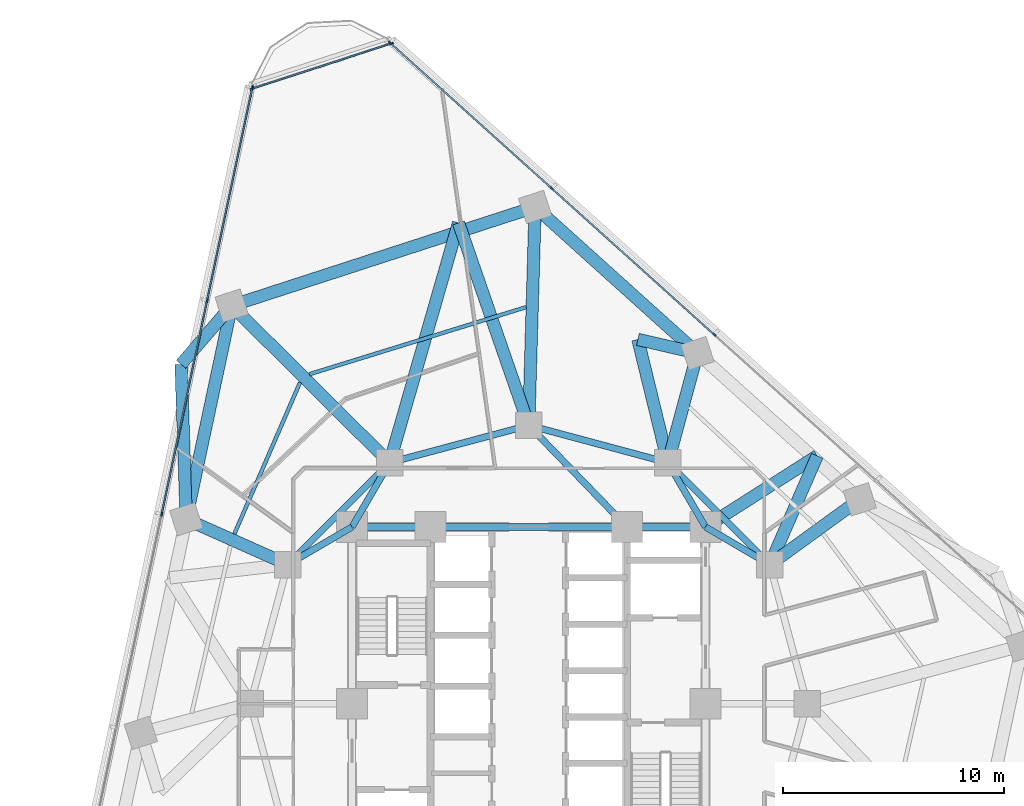
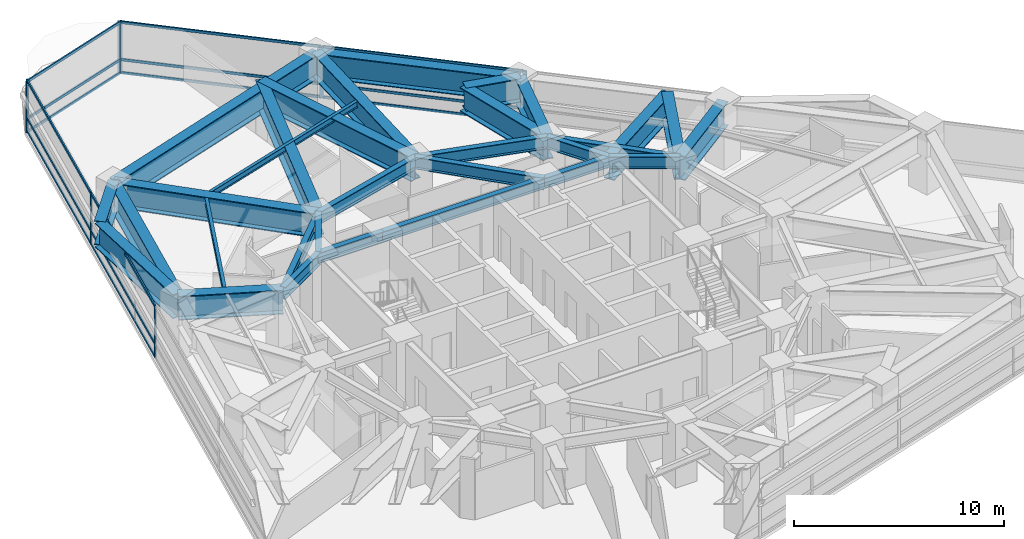
# One storey, part 5 of 14: 30 beams, 23 members, 3 elements without a shape of their own.
"""IFC4 building model written with IfcOpenShell, lengths in metres."""

from ifc_helpers import new_model, si_unit, direction, frame, origin, origin_2d, place, context, subcontext, project, spatial, rectangle, i_section, extrude, material, layer, layer_set, material_profile, profile_set, type_object, element, aggregate, save


model = new_model("IFC4")

# Units and contexts
model_context = context("Model", 3, precision=1e-05, world=origin(), true_north=direction((0.0, 1.0)))
body_context = subcontext(model_context, "Body", "Model", "MODEL_VIEW")
ifc_project = project(units=[si_unit("LENGTHUNIT", "METRE"), si_unit("AREAUNIT", "SQUARE_METRE"), si_unit("VOLUMEUNIT", "CUBIC_METRE"), si_unit("PLANEANGLEUNIT", "RADIAN"), si_unit("MASSUNIT", "GRAM", prefix="KILO")], contexts=[model_context])

# Site, building, storey
site_placement = place(None, origin())
site = spatial("IfcSite", under=ifc_project, at=site_placement, CompositionType="ELEMENT")
building_placement = place(site_placement, origin())
building = spatial("IfcBuilding", under=site, at=building_placement, Name="Terralouvre Media Tower", CompositionType="ELEMENT")
storey_placement = place(building_placement, frame((0.0, 0.0, 116.199951171875)))
storey = spatial("IfcBuildingStorey", under=building, at=storey_placement, Name="L29", CompositionType="ELEMENT", Elevation=116.199951171875)

# Beams
ifc_material_1 = material(Name="Structural steel S355J2", Category="steel")
ifc_material_profile_1 = material_profile(ifc_material_1, i_section(OverallWidth=0.169921875, OverallDepth=0.360107421875, WebThickness=0.008056640625, FlangeThickness=0.0126953125, at=origin_2d()), Name="IPE 360")
ifc_profile_set_1 = profile_set([ifc_material_profile_1], Name="Structural steel S355J2")
beam_type_1 = type_object("IfcBeamType", Name="Composite Floor Joist J-IPE360 (IPE 360)", PredefinedType="JOIST", material=ifc_profile_set_1)
beam_1_placement = place(storey_placement, frame((-0.122802734375, 17.949951171875, 3.320068359375), z_axis=(-0.955324904177, -0.295557655051, 0.0), x_axis=(0.295557655051, -0.955324904177, 0.0)))
element("IfcBeam", 1, at=beam_1_placement, inside=storey, type_object=beam_type_1, Name="L29 Framing Beam JT-L29-10", PredefinedType="JOIST", context=body_context, shape_type="SweptSolid", body=[
    extrude(i_section(OverallWidth=0.169921875, OverallDepth=0.360107421875, WebThickness=0.008056640625, FlangeThickness=0.0126953125, at=origin_2d()), origin(), (0.0, 0.0, 1.0), 10.266845703125),
])
beam_2_placement = place(storey_placement, frame((-10.350830078125, 14.54833984375, 3.320068359375), z_axis=(-0.397766742843, -0.917486576626, 0.0), x_axis=(0.917486576626, -0.397766742843, 0.0)))
element("IfcBeam", 2, at=beam_2_placement, inside=storey, type_object=beam_type_1, Name="L29 Framing Beam JT-L29-11", PredefinedType="JOIST", context=body_context, shape_type="SweptSolid", body=[
    extrude(i_section(OverallWidth=0.169921875, OverallDepth=0.360107421875, WebThickness=0.008056640625, FlangeThickness=0.0126953125, at=origin_2d()), origin(), (0.0, 0.0, 1.0), 7.483154296875),
])

# Curtain wall, members
ifc_material_2 = material(Name="Low-iron laminated double glazing with solar-control coating", Category="glass")
ifc_layer_1 = layer(ifc_material_2, 0.1650390625, Name="Lower Media Tower Unitised Curtain Wall CW-02")
ifc_layer_set_1 = layer_set([ifc_layer_1], Name="Low-iron laminated double glazing with solar-control coating")
curtain_wall_type_1 = type_object("IfcCurtainWallType", Name="Lower Media Tower Unitised Curtain Wall CW-02", PredefinedType="NOTDEFINED", material=ifc_layer_set_1)
curtain_wall_1_placement = place(storey_placement, origin())
curtain_wall_1 = element("IfcCurtainWall", 3, at=curtain_wall_1_placement, inside=storey, type_object=curtain_wall_type_1, Name="L29 Facade Curtain Wall F1", PredefinedType="NOTDEFINED")
ifc_material_3 = material(Name="Anodised extruded aluminium 6063-T6", Category="aluminium")
ifc_material_profile_2 = material_profile(ifc_material_3, rectangle(XDim=0.074951171875, YDim=0.14990234375, at=origin_2d()), Name="ALU 75x150")
ifc_profile_set_2 = profile_set([ifc_material_profile_2], Name="Anodised extruded aluminium 6063-T6")
member_type_1 = type_object("IfcMemberType", Name="Curtain-Wall Horizontal Transom TR-150", PredefinedType="USERDEFINED", material=ifc_profile_set_2)
member_1_placement = place(storey_placement, frame((8.36376953125, 16.733642578125, 0.03759765625), z_axis=(-0.743145676677, 0.669129661005, 0.0), x_axis=(-0.669129661005, -0.743145676677, 0.0)))
member_1 = element("IfcMember", 4, at=member_1_placement, type_object=member_type_1, Name="CW-02 transom 4.1", ObjectType="TRANSOM", PredefinedType="USERDEFINED", context=body_context, shape_type="SweptSolid", body=[
    extrude(rectangle(XDim=0.074951171875, YDim=0.14990234375, at=origin_2d()), origin(), (0.0, 0.0, 1.0), 9.81298828125),
])
member_2_placement = place(storey_placement, frame((8.36376953125, 16.733642578125, 0.800048828125), z_axis=(-0.743145676677, 0.669129661005, 0.0), x_axis=(-0.669129661005, -0.743145676677, 0.0)))
member_2 = element("IfcMember", 5, at=member_2_placement, type_object=member_type_1, Name="CW-02 transom 4.2", ObjectType="TRANSOM", PredefinedType="USERDEFINED", context=body_context, shape_type="SweptSolid", body=[
    extrude(rectangle(XDim=0.074951171875, YDim=0.14990234375, at=origin_2d()), origin(), (0.0, 0.0, 1.0), 9.81298828125),
])
member_3_placement = place(storey_placement, frame((8.36376953125, 16.733642578125, 2.962646484375), z_axis=(-0.743145676677, 0.669129661005, 0.0), x_axis=(-0.669129661005, -0.743145676677, 0.0)))
member_3 = element("IfcMember", 6, at=member_3_placement, type_object=member_type_1, Name="CW-02 transom 4.3", ObjectType="TRANSOM", PredefinedType="USERDEFINED", context=body_context, shape_type="SweptSolid", body=[
    extrude(rectangle(XDim=0.074951171875, YDim=0.14990234375, at=origin_2d()), origin(), (0.0, 0.0, 1.0), 9.81298828125),
])
member_4_placement = place(storey_placement, frame((1.015625, 23.35009765625, 0.03759765625), z_axis=(-0.743150075485, 0.669124775588, 0.0), x_axis=(-0.669124775588, -0.743150075485, 0.0)))
member_4 = element("IfcMember", 7, at=member_4_placement, type_object=member_type_1, Name="CW-02 transom 5.1", ObjectType="TRANSOM", PredefinedType="USERDEFINED", context=body_context, shape_type="SweptSolid", body=[
    extrude(rectangle(XDim=0.074951171875, YDim=0.14990234375, at=origin_2d()), origin(), (0.0, 0.0, 1.0), 9.775390625),
])
member_5_placement = place(storey_placement, frame((1.015625, 23.35009765625, 0.800048828125), z_axis=(-0.743150075485, 0.669124775588, 0.0), x_axis=(-0.669124775588, -0.743150075485, 0.0)))
member_5 = element("IfcMember", 8, at=member_5_placement, type_object=member_type_1, Name="CW-02 transom 5.2", ObjectType="TRANSOM", PredefinedType="USERDEFINED", context=body_context, shape_type="SweptSolid", body=[
    extrude(rectangle(XDim=0.074951171875, YDim=0.14990234375, at=origin_2d()), origin(), (0.0, 0.0, 1.0), 9.775390625),
])
member_6_placement = place(storey_placement, frame((1.015625, 23.35009765625, 2.962646484375), z_axis=(-0.743150075485, 0.669124775588, 0.0), x_axis=(-0.669124775588, -0.743150075485, 0.0)))
member_6 = element("IfcMember", 9, at=member_6_placement, type_object=member_type_1, Name="CW-02 transom 5.3", ObjectType="TRANSOM", PredefinedType="USERDEFINED", context=body_context, shape_type="SweptSolid", body=[
    extrude(rectangle(XDim=0.074951171875, YDim=0.14990234375, at=origin_2d()), origin(), (0.0, 0.0, 1.0), 9.775390625),
])

curtain_wall_2_placement = place(storey_placement, origin())
curtain_wall_2 = element("IfcCurtainWall", 10, at=curtain_wall_2_placement, inside=storey, type_object=curtain_wall_type_1, Name="L29 Facade Curtain Wall F2", PredefinedType="NOTDEFINED")
member_7_placement = place(storey_placement, frame((-12.51416015625, 27.85546875, 0.03759765625), z_axis=(-0.207917001862, -0.978146471821, 0.0), x_axis=(0.978146471821, -0.207917001862, 0.0)))
member_7 = element("IfcMember", 11, at=member_7_placement, type_object=member_type_1, Name="CW-02 transom 1.1", ObjectType="TRANSOM", PredefinedType="USERDEFINED", context=body_context, shape_type="SweptSolid", body=[
    extrude(rectangle(XDim=0.074951171875, YDim=0.14990234375, at=origin_2d()), origin(), (0.0, 0.0, 1.0), 9.775390625),
])
member_8_placement = place(storey_placement, frame((-12.51416015625, 27.85546875, 0.800048828125), z_axis=(-0.207917001862, -0.978146471821, 0.0), x_axis=(0.978146471821, -0.207917001862, 0.0)))
member_8 = element("IfcMember", 12, at=member_8_placement, type_object=member_type_1, Name="CW-02 transom 1.2", ObjectType="TRANSOM", PredefinedType="USERDEFINED", context=body_context, shape_type="SweptSolid", body=[
    extrude(rectangle(XDim=0.074951171875, YDim=0.14990234375, at=origin_2d()), origin(), (0.0, 0.0, 1.0), 9.775390625),
])
member_9_placement = place(storey_placement, frame((-12.51416015625, 27.85546875, 2.962646484375), z_axis=(-0.207917001862, -0.978146471821, 0.0), x_axis=(0.978146471821, -0.207917001862, 0.0)))
member_9 = element("IfcMember", 13, at=member_9_placement, type_object=member_type_1, Name="CW-02 transom 1.3", ObjectType="TRANSOM", PredefinedType="USERDEFINED", context=body_context, shape_type="SweptSolid", body=[
    extrude(rectangle(XDim=0.074951171875, YDim=0.14990234375, at=origin_2d()), origin(), (0.0, 0.0, 1.0), 9.775390625),
])
member_10_placement = place(storey_placement, frame((-14.56201171875, 18.22021484375, 0.03759765625), z_axis=(-0.207919755159, -0.97814588657, 0.0), x_axis=(0.97814588657, -0.207919755159, 0.0)))
member_10 = element("IfcMember", 14, at=member_10_placement, type_object=member_type_1, Name="CW-02 transom 2.1", ObjectType="TRANSOM", PredefinedType="USERDEFINED", context=body_context, shape_type="SweptSolid", body=[
    extrude(rectangle(XDim=0.074951171875, YDim=0.14990234375, at=origin_2d()), origin(), (0.0, 0.0, 1.0), 9.812744140625),
])
member_11_placement = place(storey_placement, frame((-14.56201171875, 18.22021484375, 0.800048828125), z_axis=(-0.207919755159, -0.97814588657, 0.0), x_axis=(0.97814588657, -0.207919755159, 0.0)))
member_11 = element("IfcMember", 15, at=member_11_placement, type_object=member_type_1, Name="CW-02 transom 2.2", ObjectType="TRANSOM", PredefinedType="USERDEFINED", context=body_context, shape_type="SweptSolid", body=[
    extrude(rectangle(XDim=0.074951171875, YDim=0.14990234375, at=origin_2d()), origin(), (0.0, 0.0, 1.0), 9.812744140625),
])
member_12_placement = place(storey_placement, frame((-14.56201171875, 18.22021484375, 2.962646484375), z_axis=(-0.207919755159, -0.97814588657, 0.0), x_axis=(0.97814588657, -0.207919755159, 0.0)))
member_12 = element("IfcMember", 16, at=member_12_placement, type_object=member_type_1, Name="CW-02 transom 2.3", ObjectType="TRANSOM", PredefinedType="USERDEFINED", context=body_context, shape_type="SweptSolid", body=[
    extrude(rectangle(XDim=0.074951171875, YDim=0.14990234375, at=origin_2d()), origin(), (0.0, 0.0, 1.0), 9.812744140625),
])

ifc_material_4 = material(Name="Low-iron laminated double glazing with solar-control coating", Category="glass")
ifc_layer_2 = layer(ifc_material_4, 0.1650390625, Name="Rounded Wind-Corner Curved Glazing CW-04")
ifc_layer_set_2 = layer_set([ifc_layer_2], Name="Low-iron laminated double glazing with solar-control coating")
curtain_wall_type_2 = type_object("IfcCurtainWallType", Name="Rounded Wind-Corner Curved Glazing CW-04", PredefinedType="NOTDEFINED", material=ifc_layer_set_2)
curtain_wall_3_placement = place(storey_placement, origin())
curtain_wall_3 = element("IfcCurtainWall", 17, at=curtain_wall_3_placement, inside=storey, type_object=curtain_wall_type_2, Name="L29 Rounded Wind-Corner Curtain Wall C2", PredefinedType="NOTDEFINED")
member_13_placement = place(storey_placement, frame((-6.25244140625, 29.874267578125, 0.03759765625), z_axis=(-0.951049086089, -0.309039861262, 0.0), x_axis=(0.309039861262, -0.951049086089, 0.0)))
member_13 = element("IfcMember", 18, at=member_13_placement, type_object=member_type_1, Name="CW-04 transom 1.1", ObjectType="TRANSOM", PredefinedType="USERDEFINED", context=body_context, shape_type="SweptSolid", body=[
    extrude(rectangle(XDim=0.074951171875, YDim=0.14990234375, at=origin_2d()), origin(), (0.0, 0.0, 1.0), 6.5703125),
])
member_14_placement = place(storey_placement, frame((-6.25244140625, 29.874267578125, 0.800048828125), z_axis=(-0.951049086089, -0.309039861262, 0.0), x_axis=(0.309039861262, -0.951049086089, 0.0)))
member_14 = element("IfcMember", 19, at=member_14_placement, type_object=member_type_1, Name="CW-04 transom 1.2", ObjectType="TRANSOM", PredefinedType="USERDEFINED", context=body_context, shape_type="SweptSolid", body=[
    extrude(rectangle(XDim=0.074951171875, YDim=0.14990234375, at=origin_2d()), origin(), (0.0, 0.0, 1.0), 6.5703125),
])
member_15_placement = place(storey_placement, frame((-6.25244140625, 29.874267578125, 2.962646484375), z_axis=(-0.951049086089, -0.309039861262, 0.0), x_axis=(0.309039861262, -0.951049086089, 0.0)))
member_15 = element("IfcMember", 20, at=member_15_placement, type_object=member_type_1, Name="CW-04 transom 1.3", ObjectType="TRANSOM", PredefinedType="USERDEFINED", context=body_context, shape_type="SweptSolid", body=[
    extrude(rectangle(XDim=0.074951171875, YDim=0.14990234375, at=origin_2d()), origin(), (0.0, 0.0, 1.0), 6.5703125),
])

# Member
ifc_material_5 = material(Name="Anodised extruded aluminium 6063-T6", Category="aluminium")
ifc_material_profile_3 = material_profile(ifc_material_5, rectangle(XDim=0.074951171875, YDim=0.179931640625, at=origin_2d()), Name="ALU 75x180")
ifc_profile_set_3 = profile_set([ifc_material_profile_3], Name="Anodised extruded aluminium 6063-T6")
member_type_2 = type_object("IfcMemberType", Name="Curtain-Wall Vertical Mullion ML-180", PredefinedType="MULLION", material=ifc_profile_set_3)
member_16_placement = place(storey_placement, frame((8.3916015625, 16.708740234375, 0.0), z_axis=(0.0, 0.0, 1.0), x_axis=(-0.669130639602, -0.743144795545, 0.0)))
member_16 = element("IfcMember", 21, at=member_16_placement, type_object=member_type_2, Name="CW-02 mullion 4", PredefinedType="MULLION", context=body_context, shape_type="SweptSolid", body=[
    extrude(rectangle(XDim=0.074951171875, YDim=0.179931640625, at=origin_2d()), origin(), (0.0, 0.0, 1.0), 3.0),
])

member_17_placement = place(storey_placement, frame((1.04345703125, 23.324951171875, 0.0), z_axis=(0.0, 0.0, 1.0), x_axis=(-0.669130639602, -0.743144795545, 0.0)))
member_17 = element("IfcMember", 22, at=member_17_placement, type_object=member_type_2, Name="CW-02 mullion 5", PredefinedType="MULLION", context=body_context, shape_type="SweptSolid", body=[
    extrude(rectangle(XDim=0.074951171875, YDim=0.179931640625, at=origin_2d()), origin(), (0.0, 0.0, 1.0), 3.0),
])

member_18_placement = place(storey_placement, frame((-6.27685546875, 29.916259765625, 0.0), z_axis=(0.0, 0.0, 1.0), x_axis=(-0.669130639602, -0.743144795545, 0.0)))
member_18 = element("IfcMember", 23, at=member_18_placement, type_object=member_type_2, Name="CW-02 mullion 6", PredefinedType="MULLION", context=body_context, shape_type="SweptSolid", body=[
    extrude(rectangle(XDim=0.074951171875, YDim=0.179931640625, at=origin_2d()), origin(), (0.0, 0.0, 1.0), 3.0),
])

aggregate(curtain_wall_1, [member_16, member_17, member_18, member_1, member_2, member_3, member_4, member_5, member_6])

member_19_placement = place(storey_placement, frame((-12.50634765625, 27.89208984375, 0.0), z_axis=(0.0, 0.0, 1.0), x_axis=(0.978147610709, -0.207911643887, 0.0)))
member_19 = element("IfcMember", 24, at=member_19_placement, type_object=member_type_2, Name="CW-02 mullion 1", PredefinedType="MULLION", context=body_context, shape_type="SweptSolid", body=[
    extrude(rectangle(XDim=0.074951171875, YDim=0.179931640625, at=origin_2d()), origin(), (0.0, 0.0, 1.0), 3.0),
])

member_20_placement = place(storey_placement, frame((-14.55419921875, 18.257080078125, 0.0), z_axis=(0.0, 0.0, 1.0), x_axis=(0.978147610709, -0.207911643887, 0.0)))
member_20 = element("IfcMember", 25, at=member_20_placement, type_object=member_type_2, Name="CW-02 mullion 2", PredefinedType="MULLION", context=body_context, shape_type="SweptSolid", body=[
    extrude(rectangle(XDim=0.074951171875, YDim=0.179931640625, at=origin_2d()), origin(), (0.0, 0.0, 1.0), 3.0),
])

member_21_placement = place(storey_placement, frame((-16.610107421875, 8.5849609375, 0.0), z_axis=(0.0, 0.0, 1.0), x_axis=(0.978147610709, -0.207911643887, 0.0)))
member_21 = element("IfcMember", 26, at=member_21_placement, type_object=member_type_2, Name="CW-02 mullion 3", PredefinedType="MULLION", context=body_context, shape_type="SweptSolid", body=[
    extrude(rectangle(XDim=0.074951171875, YDim=0.179931640625, at=origin_2d()), origin(), (0.0, 0.0, 1.0), 3.0),
])

aggregate(curtain_wall_2, [member_19, member_20, member_21, member_7, member_8, member_9, member_10, member_11, member_12])

member_22_placement = place(storey_placement, frame((-6.216796875, 29.8857421875, 0.0), z_axis=(0.0, 0.0, 1.0), x_axis=(0.309017701894, -0.951056286408, 0.0)))
member_22 = element("IfcMember", 27, at=member_22_placement, type_object=member_type_2, Name="CW-04 mullion 1", PredefinedType="MULLION", context=body_context, shape_type="SweptSolid", body=[
    extrude(rectangle(XDim=0.074951171875, YDim=0.179931640625, at=origin_2d()), origin(), (0.0, 0.0, 1.0), 3.0),
])

member_23_placement = place(storey_placement, frame((-12.536865234375, 27.832275390625, 0.0), z_axis=(0.0, 0.0, 1.0), x_axis=(0.309017701894, -0.951056286408, 0.0)))
member_23 = element("IfcMember", 28, at=member_23_placement, type_object=member_type_2, Name="CW-04 mullion 2", PredefinedType="MULLION", context=body_context, shape_type="SweptSolid", body=[
    extrude(rectangle(XDim=0.074951171875, YDim=0.179931640625, at=origin_2d()), origin(), (0.0, 0.0, 1.0), 3.0),
])

aggregate(curtain_wall_3, [member_22, member_23, member_13, member_14, member_15])

# Beams
ifc_material_6 = material(Name="Structural steel S460M", Category="steel")
ifc_material_profile_4 = material_profile(ifc_material_6, i_section(OverallWidth=0.300048828125, OverallDepth=0.60009765625, WebThickness=0.015380859375, FlangeThickness=0.030029296875, at=origin_2d()), Name="HEB 600")
ifc_profile_set_4 = profile_set([ifc_material_profile_4], Name="Structural steel S460M")
beam_type_2 = type_object("IfcBeamType", Name="Primary Floor Girder B-HEB600 (HEB 600)", PredefinedType="BEAM", material=ifc_profile_set_4)
beam_3_placement = place(storey_placement, frame((8.0, 8.0, 3.199951171875), z_axis=(-1.0, 0.0, 0.0), x_axis=(0.0, -1.0, 0.0)))
element("IfcBeam", 29, at=beam_3_placement, inside=storey, type_object=beam_type_2, Name="L29 Framing Beam BM-L29-CPR06", PredefinedType="BEAM", context=body_context, shape_type="SweptSolid", body=[
    extrude(i_section(OverallWidth=0.300048828125, OverallDepth=0.60009765625, WebThickness=0.015380859375, FlangeThickness=0.030029296875, at=origin_2d()), origin(), (0.0, 0.0, 1.0), 3.550048828125),
])
beam_4_placement = place(storey_placement, frame((4.449951171875, 8.0, 3.199951171875), z_axis=(-1.0, 0.0, 0.0), x_axis=(0.0, -1.0, 0.0)))
element("IfcBeam", 30, at=beam_4_placement, inside=storey, type_object=beam_type_2, Name="L29 Framing Beam BM-L29-CPR07", PredefinedType="BEAM", context=body_context, shape_type="SweptSolid", body=[
    extrude(i_section(OverallWidth=0.300048828125, OverallDepth=0.60009765625, WebThickness=0.015380859375, FlangeThickness=0.030029296875, at=origin_2d()), origin(), (0.0, 0.0, 1.0), 8.89990234375),
])
beam_5_placement = place(storey_placement, frame((-4.449951171875, 8.0, 3.199951171875), z_axis=(-1.0, 0.0, 0.0), x_axis=(0.0, -1.0, 0.0)))
element("IfcBeam", 31, at=beam_5_placement, inside=storey, type_object=beam_type_2, Name="L29 Framing Beam BM-L29-CPR08", PredefinedType="BEAM", context=body_context, shape_type="SweptSolid", body=[
    extrude(i_section(OverallWidth=0.300048828125, OverallDepth=0.60009765625, WebThickness=0.015380859375, FlangeThickness=0.030029296875, at=origin_2d()), origin(), (0.0, 0.0, 1.0), 3.550048828125),
])
ifc_material_7 = material(Name="Structural steel S460M", Category="steel")
ifc_material_profile_5 = material_profile(ifc_material_7, i_section(OverallWidth=0.300048828125, OverallDepth=0.699951171875, WebThickness=0.01708984375, FlangeThickness=0.031982421875, at=origin_2d()), Name="HEB 700")
ifc_profile_set_5 = profile_set([ifc_material_profile_5], Name="Structural steel S460M")
beam_type_3 = type_object("IfcBeamType", Name="Primary Floor Girder B-HEB700 (HEB 700)", PredefinedType="BEAM", material=ifc_profile_set_5)
beam_6_placement = place(storey_placement, frame((10.911865234375, 6.300048828125, 3.150146484375), z_axis=(-0.707106781187, 0.707106781187, 0.0), x_axis=(-0.707106781187, -0.707106781187, 0.0)))
element("IfcBeam", 32, at=beam_6_placement, inside=storey, type_object=beam_type_3, Name="L29 Framing Beam BM-L29-MR07", PredefinedType="BEAM", context=body_context, shape_type="SweptSolid", body=[
    extrude(i_section(OverallWidth=0.300048828125, OverallDepth=0.699951171875, WebThickness=0.01708984375, FlangeThickness=0.031982421875, at=origin_2d()), origin(), (0.0, 0.0, 1.0), 6.52197265625),
])
for number, where, z_axis, x_axis, name in (
    (33, (6.300048828125, 10.911865234375, 3.150146484375), (-0.965920481897, 0.258838989821, 0.0), (-0.258838989821, -0.965920481897, 0.0), "L29 Framing Beam BM-L29-MR08"),
    (34, (0.0, 12.60009765625, 3.150146484375), (-0.965920481897, -0.258838989821, 0.0), (0.258838989821, -0.965920481897, 0.0), "L29 Framing Beam BM-L29-MR09"),
):
    element("IfcBeam", number, at=place(storey_placement, frame(where, z_axis=z_axis, x_axis=x_axis)), inside=storey, type_object=beam_type_3, Name=name, PredefinedType="BEAM", context=body_context, shape_type="SweptSolid", body=[
        extrude(i_section(OverallWidth=0.300048828125, OverallDepth=0.699951171875, WebThickness=0.01708984375, FlangeThickness=0.031982421875, at=origin_2d()), origin(), (0.0, 0.0, 1.0), 6.522216796875),
    ])
beam_7_placement = place(storey_placement, frame((-6.300048828125, 10.911865234375, 3.150146484375), z_axis=(-0.707106781187, -0.707106781187, 0.0), x_axis=(0.707106781187, -0.707106781187, 0.0)))
element("IfcBeam", 35, at=beam_7_placement, inside=storey, type_object=beam_type_3, Name="L29 Framing Beam BM-L29-MR10", PredefinedType="BEAM", context=body_context, shape_type="SweptSolid", body=[
    extrude(i_section(OverallWidth=0.300048828125, OverallDepth=0.699951171875, WebThickness=0.01708984375, FlangeThickness=0.031982421875, at=origin_2d()), origin(), (0.0, 0.0, 1.0), 6.52197265625),
])
for number, where, z_axis, x_axis, name in (
    (36, (8.0, 8.0, 3.150146484375), (0.863602894532, -0.504172629717, 0.0), (0.504172629717, 0.863602894532, 0.0), "L29 Framing Beam BM-L29-CM07"),
    (37, (8.0, 8.0, 3.150146484375), (-0.504172629717, 0.863602894532, 0.0), (-0.863602894532, -0.504172629717, 0.0), "L29 Framing Beam BM-L29-CM08"),
):
    element("IfcBeam", number, at=place(storey_placement, frame(where, z_axis=z_axis, x_axis=x_axis)), inside=storey, type_object=beam_type_3, Name=name, PredefinedType="BEAM", context=body_context, shape_type="SweptSolid", body=[
        extrude(i_section(OverallWidth=0.300048828125, OverallDepth=0.699951171875, WebThickness=0.01708984375, FlangeThickness=0.031982421875, at=origin_2d()), origin(), (0.0, 0.0, 1.0), 3.371826171875),
    ])
beam_8_placement = place(storey_placement, frame((4.449951171875, 8.0, 3.150146484375), z_axis=(-0.695279715726, 0.718739255155, 0.0), x_axis=(-0.718739255155, -0.695279715726, 0.0)))
element("IfcBeam", 38, at=beam_8_placement, inside=storey, type_object=beam_type_3, Name="L29 Framing Beam BM-L29-CM09", PredefinedType="BEAM", context=body_context, shape_type="SweptSolid", body=[
    extrude(i_section(OverallWidth=0.300048828125, OverallDepth=0.699951171875, WebThickness=0.01708984375, FlangeThickness=0.031982421875, at=origin_2d()), origin(), (0.0, 0.0, 1.0), 6.400146484375),
])
for number, where, z_axis, x_axis, name in (
    (39, (-8.0, 8.0, 3.150146484375), (0.504172629717, 0.863602894532, 0.0), (-0.863602894532, 0.504172629717, 0.0), "L29 Framing Beam BM-L29-CM10"),
    (40, (-8.0, 8.0, 3.150146484375), (-0.863602894532, -0.504172629717, 0.0), (0.504172629717, -0.863602894532, 0.0), "L29 Framing Beam BM-L29-CM11"),
):
    element("IfcBeam", number, at=place(storey_placement, frame(where, z_axis=z_axis, x_axis=x_axis)), inside=storey, type_object=beam_type_3, Name=name, PredefinedType="BEAM", context=body_context, shape_type="SweptSolid", body=[
        extrude(i_section(OverallWidth=0.300048828125, OverallDepth=0.699951171875, WebThickness=0.01708984375, FlangeThickness=0.031982421875, at=origin_2d()), origin(), (0.0, 0.0, 1.0), 3.371826171875),
    ])
ifc_material_8 = material(Name="Structural steel S460M", Category="steel")
ifc_material_profile_6 = material_profile(ifc_material_8, i_section(OverallWidth=0.56005859375, OverallDepth=1.39990234375, WebThickness=0.031982421875, FlangeThickness=0.050048828125, at=origin_2d()), Name="TG 1400x560")
ifc_profile_set_6 = profile_set([ifc_material_profile_6], Name="Structural steel S460M")
beam_type_4 = type_object("IfcBeamType", Name="Welded Transfer Girder TG-1400 (TG 1400x560)", PredefinedType="USERDEFINED", material=ifc_profile_set_6)
beam_9_placement = place(storey_placement, frame((7.635498046875, 15.868896484375, 2.800048828125), z_axis=(-0.743136979084, 0.669139320558, 0.0), x_axis=(-0.669139320558, -0.743136979084, 0.0)))
element("IfcBeam", 41, at=beam_9_placement, inside=storey, type_object=beam_type_4, Name="L29 Framing Beam BM-L29-PR09", ObjectType="TRANSFER GIRDER", PredefinedType="USERDEFINED", context=body_context, shape_type="SweptSolid", body=[
    extrude(i_section(OverallWidth=0.56005859375, OverallDepth=1.39990234375, WebThickness=0.031982421875, FlangeThickness=0.050048828125, at=origin_2d()), origin(), (0.0, 0.0, 1.0), 9.887939453125),
])
beam_10_placement = place(storey_placement, frame((0.287353515625, 22.4853515625, 2.800048828125), z_axis=(-0.951052948313, -0.309027975278, 0.0), x_axis=(0.309027975278, -0.951052948313, 0.0)))
element("IfcBeam", 42, at=beam_10_placement, inside=storey, type_object=beam_type_4, Name="L29 Framing Beam BM-L29-PR10", ObjectType="TRANSFER GIRDER", PredefinedType="USERDEFINED", context=body_context, shape_type="SweptSolid", body=[
    extrude(i_section(OverallWidth=0.56005859375, OverallDepth=1.39990234375, WebThickness=0.031982421875, FlangeThickness=0.050048828125, at=origin_2d()), origin(), (0.0, 0.0, 1.0), 14.443359375),
])
beam_11_placement = place(storey_placement, frame((-13.448974609375, 18.02197265625, 2.800048828125), z_axis=(-0.207920177572, -0.97814579678, 0.0), x_axis=(0.97814579678, -0.207920177572, 0.0)))
element("IfcBeam", 43, at=beam_11_placement, inside=storey, type_object=beam_type_4, Name="L29 Framing Beam BM-L29-PR11", ObjectType="TRANSFER GIRDER", PredefinedType="USERDEFINED", context=body_context, shape_type="SweptSolid", body=[
    extrude(i_section(OverallWidth=0.56005859375, OverallDepth=1.39990234375, WebThickness=0.031982421875, FlangeThickness=0.050048828125, at=origin_2d()), origin(), (0.0, 0.0, 1.0), 9.887939453125),
])
beam_12_placement = place(storey_placement, frame((10.911865234375, 6.300048828125, 2.800048828125), z_axis=(0.809593719636, 0.586990638022, 0.0), x_axis=(-0.586990638022, 0.809593719636, 0.0)))
element("IfcBeam", 44, at=beam_12_placement, inside=storey, type_object=beam_type_4, Name="L29 Framing Beam BM-L29-RD08", ObjectType="TRANSFER GIRDER", PredefinedType="USERDEFINED", context=body_context, shape_type="SweptSolid", body=[
    extrude(i_section(OverallWidth=0.56005859375, OverallDepth=1.39990234375, WebThickness=0.031982421875, FlangeThickness=0.050048828125, at=origin_2d()), origin(), (0.0, 0.0, 1.0), 5.02978515625),
])
beam_13_placement = place(storey_placement, frame((6.300048828125, 10.911865234375, 2.800048828125), z_axis=(0.260130371447, 0.96557350308, 0.0), x_axis=(-0.96557350308, 0.260130371447, 0.0)))
element("IfcBeam", 45, at=beam_13_placement, inside=storey, type_object=beam_type_4, Name="L29 Framing Beam BM-L29-RD09", ObjectType="TRANSFER GIRDER", PredefinedType="USERDEFINED", context=body_context, shape_type="SweptSolid", body=[
    extrude(i_section(OverallWidth=0.56005859375, OverallDepth=1.39990234375, WebThickness=0.031982421875, FlangeThickness=0.050048828125, at=origin_2d()), origin(), (0.0, 0.0, 1.0), 5.1337890625),
])
beam_14_placement = place(storey_placement, frame((0.0, 12.60009765625, 2.800048828125), z_axis=(0.029056632049, 0.999577766927, 0.0), x_axis=(-0.999577766927, 0.029056632049, 0.0)))
element("IfcBeam", 46, at=beam_14_placement, inside=storey, type_object=beam_type_4, Name="L29 Framing Beam BM-L29-RD10", ObjectType="TRANSFER GIRDER", PredefinedType="USERDEFINED", context=body_context, shape_type="SweptSolid", body=[
    extrude(i_section(OverallWidth=0.56005859375, OverallDepth=1.39990234375, WebThickness=0.031982421875, FlangeThickness=0.050048828125, at=origin_2d()), origin(), (0.0, 0.0, 1.0), 9.889404296875),
])
beam_15_placement = place(storey_placement, frame((-6.300048828125, 10.911865234375, 2.800048828125), z_axis=(-0.709029159826, 0.705179161998, 0.0), x_axis=(-0.705179161998, -0.709029159826, 0.0)))
element("IfcBeam", 47, at=beam_15_placement, inside=storey, type_object=beam_type_4, Name="L29 Framing Beam BM-L29-RD11", ObjectType="TRANSFER GIRDER", PredefinedType="USERDEFINED", context=body_context, shape_type="SweptSolid", body=[
    extrude(i_section(OverallWidth=0.56005859375, OverallDepth=1.39990234375, WebThickness=0.031982421875, FlangeThickness=0.050048828125, at=origin_2d()), origin(), (0.0, 0.0, 1.0), 10.082763671875),
])
beam_16_placement = place(storey_placement, frame((-10.911865234375, 6.300048828125, 2.800048828125), z_axis=(-0.913167886247, 0.407583625196, 0.0), x_axis=(-0.407583625196, -0.913167886247, 0.0)))
element("IfcBeam", 48, at=beam_16_placement, inside=storey, type_object=beam_type_4, Name="L29 Framing Beam BM-L29-RD12", ObjectType="TRANSFER GIRDER", PredefinedType="USERDEFINED", context=body_context, shape_type="SweptSolid", body=[
    extrude(i_section(OverallWidth=0.56005859375, OverallDepth=1.39990234375, WebThickness=0.031982421875, FlangeThickness=0.050048828125, at=origin_2d()), origin(), (0.0, 0.0, 1.0), 5.02978515625),
])
beam_17_placement = place(storey_placement, frame((13.0576171875, 11.220458984375, 2.800048828125), z_axis=(-0.39973535277, -0.916630595031, 0.0), x_axis=(0.916630595031, -0.39973535277, 0.0)))
element("IfcBeam", 49, at=beam_17_placement, inside=storey, type_object=beam_type_4, Name="L29 Framing Beam BM-L29-TR06S1", ObjectType="TRANSFER GIRDER", PredefinedType="USERDEFINED", context=body_context, shape_type="SweptSolid", body=[
    extrude(i_section(OverallWidth=0.56005859375, OverallDepth=1.39990234375, WebThickness=0.031982421875, FlangeThickness=0.050048828125, at=origin_2d()), origin(), (0.0, 0.0, 1.0), 5.367919921875),
])
beam_18_placement = place(storey_placement, frame((13.0576171875, 11.220458984375, 2.800048828125), z_axis=(-0.843512235979, -0.537109958718, 0.0), x_axis=(0.537109958718, -0.843512235979, 0.0)))
element("IfcBeam", 50, at=beam_18_placement, inside=storey, type_object=beam_type_4, Name="L29 Framing Beam BM-L29-TR06S2", ObjectType="TRANSFER GIRDER", PredefinedType="USERDEFINED", context=body_context, shape_type="SweptSolid", body=[
    extrude(i_section(OverallWidth=0.56005859375, OverallDepth=1.39990234375, WebThickness=0.031982421875, FlangeThickness=0.050048828125, at=origin_2d()), origin(), (0.0, 0.0, 1.0), 5.995849609375),
])
beam_19_placement = place(storey_placement, frame((4.939208984375, 16.492431640625, 2.800048828125), z_axis=(0.97428701311, -0.225310488182, 0.0), x_axis=(0.225310488182, 0.97428701311, 0.0)))
element("IfcBeam", 51, at=beam_19_placement, inside=storey, type_object=beam_type_4, Name="L29 Framing Beam BM-L29-TR07S1", ObjectType="TRANSFER GIRDER", PredefinedType="USERDEFINED", context=body_context, shape_type="SweptSolid", body=[
    extrude(i_section(OverallWidth=0.56005859375, OverallDepth=1.39990234375, WebThickness=0.031982421875, FlangeThickness=0.050048828125, at=origin_2d()), origin(), (0.0, 0.0, 1.0), 2.767333984375),
])
beam_20_placement = place(storey_placement, frame((4.939208984375, 16.492431640625, 2.800048828125), z_axis=(0.23691117125, -0.971531315469, 0.0), x_axis=(0.971531315469, 0.23691117125, 0.0)))
element("IfcBeam", 52, at=beam_20_placement, inside=storey, type_object=beam_type_4, Name="L29 Framing Beam BM-L29-TR07S2", ObjectType="TRANSFER GIRDER", PredefinedType="USERDEFINED", context=body_context, shape_type="SweptSolid", body=[
    extrude(i_section(OverallWidth=0.56005859375, OverallDepth=1.39990234375, WebThickness=0.031982421875, FlangeThickness=0.050048828125, at=origin_2d()), origin(), (0.0, 0.0, 1.0), 5.744140625),
])
beam_21_placement = place(storey_placement, frame((-3.178955078125, 21.7646484375, 2.800048828125), z_axis=(0.327719061781, -0.944775220116, 0.0), x_axis=(0.944775220116, 0.327719061781, 0.0)))
element("IfcBeam", 53, at=beam_21_placement, inside=storey, type_object=beam_type_4, Name="L29 Framing Beam BM-L29-TR08S1", ObjectType="TRANSFER GIRDER", PredefinedType="USERDEFINED", context=body_context, shape_type="SweptSolid", body=[
    extrude(i_section(OverallWidth=0.56005859375, OverallDepth=1.39990234375, WebThickness=0.031982421875, FlangeThickness=0.050048828125, at=origin_2d()), origin(), (0.0, 0.0, 1.0), 9.7001953125),
])
beam_22_placement = place(storey_placement, frame((-3.178955078125, 21.7646484375, 2.800048828125), z_axis=(-0.276382556873, -0.961047700302, 0.0), x_axis=(0.961047700302, -0.276382556873, 0.0)))
element("IfcBeam", 54, at=beam_22_placement, inside=storey, type_object=beam_type_4, Name="L29 Framing Beam BM-L29-TR08S2", ObjectType="TRANSFER GIRDER", PredefinedType="USERDEFINED", context=body_context, shape_type="SweptSolid", body=[
    extrude(i_section(OverallWidth=0.56005859375, OverallDepth=1.39990234375, WebThickness=0.031982421875, FlangeThickness=0.050048828125, at=origin_2d()), origin(), (0.0, 0.0, 1.0), 11.292724609375),
])
beam_23_placement = place(storey_placement, frame((-15.7392578125, 15.36474609375, 2.800048828125), z_axis=(0.652869407257, 0.757470485938, 0.0), x_axis=(-0.757470485938, 0.652869407257, 0.0)))
element("IfcBeam", 55, at=beam_23_placement, inside=storey, type_object=beam_type_4, Name="L29 Framing Beam BM-L29-TR09S1", ObjectType="TRANSFER GIRDER", PredefinedType="USERDEFINED", context=body_context, shape_type="SweptSolid", body=[
    extrude(i_section(OverallWidth=0.56005859375, OverallDepth=1.39990234375, WebThickness=0.031982421875, FlangeThickness=0.050048828125, at=origin_2d()), origin(), (0.0, 0.0, 1.0), 3.508056640625),
])
beam_24_placement = place(storey_placement, frame((-15.7392578125, 15.36474609375, 2.800048828125), z_axis=(0.033393588593, -0.999442278594, 0.0), x_axis=(0.999442278594, 0.033393588593, 0.0)))
element("IfcBeam", 56, at=beam_24_placement, inside=storey, type_object=beam_type_4, Name="L29 Framing Beam BM-L29-TR09S2", ObjectType="TRANSFER GIRDER", PredefinedType="USERDEFINED", context=body_context, shape_type="SweptSolid", body=[
    extrude(i_section(OverallWidth=0.56005859375, OverallDepth=1.39990234375, WebThickness=0.031982421875, FlangeThickness=0.050048828125, at=origin_2d()), origin(), (0.0, 0.0, 1.0), 7.0185546875),
])

save(model, "model.ifc")
